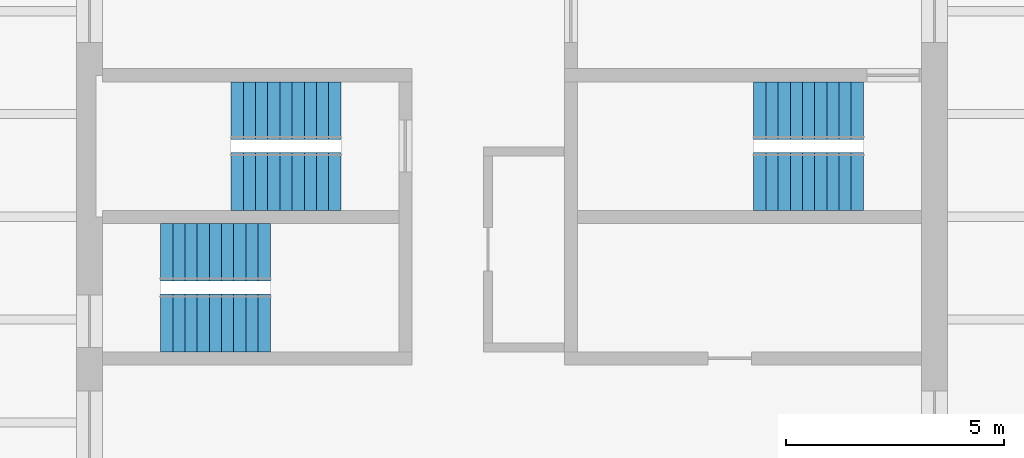
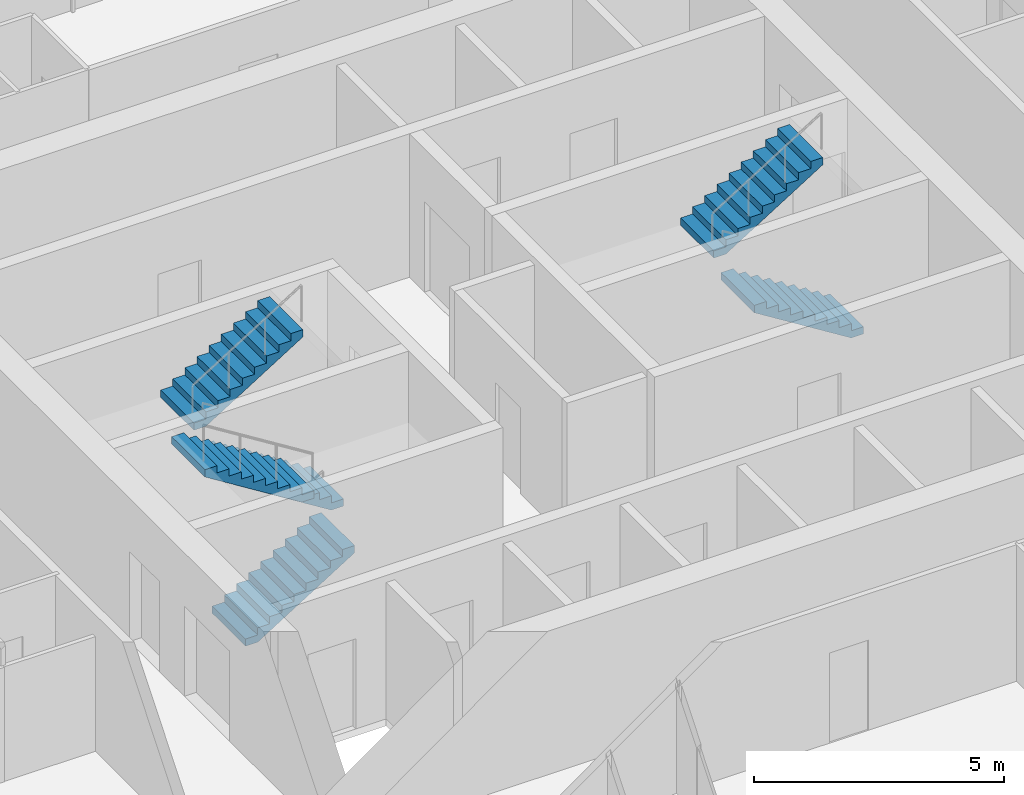
# One storey, part 16 of 17: 6 stair flights, 3 elements without a shape of their own.
"""IFC4 building model written with IfcOpenShell, lengths in metres."""

from ifc_helpers import new_model, si_unit, direction, frame, origin, place, context, subcontext, project, spatial, polyline, outline, extrude, material, type_object, element, aggregate, save


model = new_model("IFC4")

# Units and contexts
model_context = context("Model", 3, precision=1e-05, world=origin(), true_north=direction((0.0, 1.0)))
body_context = subcontext(model_context, "Body", "Model", "MODEL_VIEW")
ifc_project = project(units=[si_unit("LENGTHUNIT", "METRE"), si_unit("AREAUNIT", "SQUARE_METRE"), si_unit("VOLUMEUNIT", "CUBIC_METRE"), si_unit("PLANEANGLEUNIT", "RADIAN"), si_unit("MASSUNIT", "GRAM", prefix="KILO")], contexts=[model_context])

# Site, building, storey
site_placement = place(None, origin())
site = spatial("IfcSite", under=ifc_project, at=site_placement, CompositionType="ELEMENT")
building_placement = place(site_placement, origin())
building = spatial("IfcBuilding", under=site, at=building_placement, Name="Turquesa Mirador Hotel Tower", CompositionType="ELEMENT")
storey_placement = place(building_placement, frame((0.0, 0.0, 254.699951171875)))
storey = spatial("IfcBuildingStorey", under=building, at=storey_placement, Name="L69", CompositionType="ELEMENT", Elevation=254.699951171875)

# Stair, stair flights
ifc_material_1 = material(Name="Concrete C35/45", Category="concrete")
stair_type = type_object("IfcStairType", Name="ESCAPE STAIR CORE", PredefinedType="HALF_TURN_STAIR", material=ifc_material_1)
stair_1_placement = place(storey_placement, origin())
stair_1 = element("IfcStair", 1, at=stair_1_placement, inside=storey, type_object=stair_type, Name="Stair ST1 L69 to L70", PredefinedType="HALF_TURN_STAIR")
ifc_material_2 = material(Name="Concrete C35/45 precast flight", Category="concrete")
stair_flight_type = type_object("IfcStairFlightType", Name="STAIR FLIGHT 1330", PredefinedType="STRAIGHT", material=ifc_material_2)
stair_flight_1_placement = place(storey_placement, frame((51.070068359375, 45.81494140625, 0.0), z_axis=(0.0, 0.0, 1.0), x_axis=(-1.0, 0.0, 0.0)))
stair_flight_1 = element("IfcStairFlight", 2, at=stair_flight_1_placement, type_object=stair_flight_type, Name="ST1 flight 1", NumberOfRisers=10, NumberOfTreads=9, PredefinedType="STRAIGHT", RiserHeight=0.175, TreadLength=0.28, context=body_context, shape_type="SweptSolid", body=[
    extrude(outline(polyline([(0.0, 0.0), (0.0, 0.175048828125), (0.280029296875, 0.175048828125), (0.280029296875, 0.35009765625), (0.56005859375, 0.35009765625), (0.56005859375, 0.52490234375), (0.840087890625, 0.52490234375), (0.840087890625, 0.699951171875), (1.1201171875, 0.699951171875), (1.1201171875, 0.875), (1.39990234375, 0.875), (1.39990234375, 1.050048828125), (1.679931640625, 1.050048828125), (1.679931640625, 1.22509765625), (1.9599609375, 1.22509765625), (1.9599609375, 1.39990234375), (2.239990234375, 1.39990234375), (2.239990234375, 1.574951171875), (2.52001953125, 1.574951171875), (2.52001953125, 1.75), (2.52001953125, 1.398193359375), (0.28271484375, 0.0), (0.0, 0.0)])), frame((0.0, 0.6650390625, 0.0), z_axis=(0.0, -1.0, 0.0), x_axis=(1.0, 0.0, 0.0)), (0.0, 0.0, 1.0), 1.330078125),
])
stair_flight_2_placement = place(storey_placement, frame((48.550048828125, 47.43505859375, 1.75), z_axis=(0.0, 0.0, 1.0), x_axis=(1.0, 0.0, 0.0)))
stair_flight_2 = element("IfcStairFlight", 3, at=stair_flight_2_placement, type_object=stair_flight_type, Name="ST1 flight 2", NumberOfRisers=10, NumberOfTreads=9, PredefinedType="STRAIGHT", RiserHeight=0.175, TreadLength=0.28, context=body_context, shape_type="SweptSolid", body=[
    extrude(outline(polyline([(0.0, 0.0), (0.0, 0.175048828125), (0.280029296875, 0.175048828125), (0.280029296875, 0.35009765625), (0.56005859375, 0.35009765625), (0.56005859375, 0.52490234375), (0.840087890625, 0.52490234375), (0.840087890625, 0.699951171875), (1.1201171875, 0.699951171875), (1.1201171875, 0.875), (1.39990234375, 0.875), (1.39990234375, 1.050048828125), (1.679931640625, 1.050048828125), (1.679931640625, 1.22509765625), (1.9599609375, 1.22509765625), (1.9599609375, 1.39990234375), (2.239990234375, 1.39990234375), (2.239990234375, 1.574951171875), (2.52001953125, 1.574951171875), (2.52001953125, 1.75), (2.52001953125, 1.398193359375), (0.28271484375, 0.0), (0.0, 0.0)])), frame((0.0, 0.6650390625, 0.0), z_axis=(0.0, -1.0, 0.0), x_axis=(1.0, 0.0, 0.0)), (0.0, 0.0, 1.0), 1.330078125),
])
aggregate(stair_1, [stair_flight_1, stair_flight_2])

stair_2_placement = place(storey_placement, origin())
stair_2 = element("IfcStair", 4, at=stair_2_placement, inside=storey, type_object=stair_type, Name="Stair ST2 L69 to L70", PredefinedType="HALF_TURN_STAIR")
stair_flight_3_placement = place(storey_placement, frame((46.929931640625, 42.56494140625, 0.0), z_axis=(0.0, 0.0, 1.0), x_axis=(1.0, 0.0, 0.0)))
stair_flight_3 = element("IfcStairFlight", 5, at=stair_flight_3_placement, type_object=stair_flight_type, Name="ST2 flight 1", NumberOfRisers=10, NumberOfTreads=9, PredefinedType="STRAIGHT", RiserHeight=0.175, TreadLength=0.28, context=body_context, shape_type="SweptSolid", body=[
    extrude(outline(polyline([(0.0, 0.0), (0.0, 0.175048828125), (0.280029296875, 0.175048828125), (0.280029296875, 0.35009765625), (0.56005859375, 0.35009765625), (0.56005859375, 0.52490234375), (0.840087890625, 0.52490234375), (0.840087890625, 0.699951171875), (1.1201171875, 0.699951171875), (1.1201171875, 0.875), (1.39990234375, 0.875), (1.39990234375, 1.050048828125), (1.679931640625, 1.050048828125), (1.679931640625, 1.22509765625), (1.9599609375, 1.22509765625), (1.9599609375, 1.39990234375), (2.239990234375, 1.39990234375), (2.239990234375, 1.574951171875), (2.52001953125, 1.574951171875), (2.52001953125, 1.75), (2.52001953125, 1.398193359375), (0.28271484375, 0.0), (0.0, 0.0)])), frame((0.0, 0.6650390625, 0.0), z_axis=(0.0, -1.0, 0.0), x_axis=(1.0, 0.0, 0.0)), (0.0, 0.0, 1.0), 1.330078125),
])
stair_flight_4_placement = place(storey_placement, frame((49.449951171875, 44.18505859375, 1.75), z_axis=(0.0, 0.0, 1.0), x_axis=(-1.0, 0.0, 0.0)))
stair_flight_4 = element("IfcStairFlight", 6, at=stair_flight_4_placement, type_object=stair_flight_type, Name="ST2 flight 2", NumberOfRisers=10, NumberOfTreads=9, PredefinedType="STRAIGHT", RiserHeight=0.175, TreadLength=0.28, context=body_context, shape_type="SweptSolid", body=[
    extrude(outline(polyline([(0.0, 0.0), (0.0, 0.175048828125), (0.280029296875, 0.175048828125), (0.280029296875, 0.35009765625), (0.56005859375, 0.35009765625), (0.56005859375, 0.52490234375), (0.840087890625, 0.52490234375), (0.840087890625, 0.699951171875), (1.1201171875, 0.699951171875), (1.1201171875, 0.875), (1.39990234375, 0.875), (1.39990234375, 1.050048828125), (1.679931640625, 1.050048828125), (1.679931640625, 1.22509765625), (1.9599609375, 1.22509765625), (1.9599609375, 1.39990234375), (2.239990234375, 1.39990234375), (2.239990234375, 1.574951171875), (2.52001953125, 1.574951171875), (2.52001953125, 1.75), (2.52001953125, 1.398193359375), (0.28271484375, 0.0), (0.0, 0.0)])), frame((0.0, 0.6650390625, 0.0), z_axis=(0.0, -1.0, 0.0), x_axis=(1.0, 0.0, 0.0)), (0.0, 0.0, 1.0), 1.330078125),
])
aggregate(stair_2, [stair_flight_3, stair_flight_4])

stair_3_placement = place(storey_placement, origin())
stair_3 = element("IfcStair", 7, at=stair_3_placement, inside=storey, type_object=stair_type, Name="Stair ST3 L69 to L70", PredefinedType="HALF_TURN_STAIR")
stair_flight_5_placement = place(storey_placement, frame((63.070068359375, 45.81494140625, 0.0), z_axis=(0.0, 0.0, 1.0), x_axis=(-1.0, 0.0, 0.0)))
stair_flight_5 = element("IfcStairFlight", 8, at=stair_flight_5_placement, type_object=stair_flight_type, Name="ST3 flight 1", NumberOfRisers=10, NumberOfTreads=9, PredefinedType="STRAIGHT", RiserHeight=0.175, TreadLength=0.28, context=body_context, shape_type="SweptSolid", body=[
    extrude(outline(polyline([(0.0, 0.0), (0.0, 0.175048828125), (0.280029296875, 0.175048828125), (0.280029296875, 0.35009765625), (0.56005859375, 0.35009765625), (0.56005859375, 0.52490234375), (0.840087890625, 0.52490234375), (0.840087890625, 0.699951171875), (1.1201171875, 0.699951171875), (1.1201171875, 0.875), (1.39990234375, 0.875), (1.39990234375, 1.050048828125), (1.679931640625, 1.050048828125), (1.679931640625, 1.22509765625), (1.9599609375, 1.22509765625), (1.9599609375, 1.39990234375), (2.239990234375, 1.39990234375), (2.239990234375, 1.574951171875), (2.52001953125, 1.574951171875), (2.52001953125, 1.75), (2.52001953125, 1.398193359375), (0.28271484375, 0.0), (0.0, 0.0)])), frame((0.0, 0.6650390625, 0.0), z_axis=(0.0, -1.0, 0.0), x_axis=(1.0, 0.0, 0.0)), (0.0, 0.0, 1.0), 1.330078125),
])
stair_flight_6_placement = place(storey_placement, frame((60.550048828125, 47.43505859375, 1.75), z_axis=(0.0, 0.0, 1.0), x_axis=(1.0, 0.0, 0.0)))
stair_flight_6 = element("IfcStairFlight", 9, at=stair_flight_6_placement, type_object=stair_flight_type, Name="ST3 flight 2", NumberOfRisers=10, NumberOfTreads=9, PredefinedType="STRAIGHT", RiserHeight=0.175, TreadLength=0.28, context=body_context, shape_type="SweptSolid", body=[
    extrude(outline(polyline([(0.0, 0.0), (0.0, 0.175048828125), (0.280029296875, 0.175048828125), (0.280029296875, 0.35009765625), (0.56005859375, 0.35009765625), (0.56005859375, 0.52490234375), (0.840087890625, 0.52490234375), (0.840087890625, 0.699951171875), (1.1201171875, 0.699951171875), (1.1201171875, 0.875), (1.39990234375, 0.875), (1.39990234375, 1.050048828125), (1.679931640625, 1.050048828125), (1.679931640625, 1.22509765625), (1.9599609375, 1.22509765625), (1.9599609375, 1.39990234375), (2.239990234375, 1.39990234375), (2.239990234375, 1.574951171875), (2.52001953125, 1.574951171875), (2.52001953125, 1.75), (2.52001953125, 1.398193359375), (0.28271484375, 0.0), (0.0, 0.0)])), frame((0.0, 0.6650390625, 0.0), z_axis=(0.0, -1.0, 0.0), x_axis=(1.0, 0.0, 0.0)), (0.0, 0.0, 1.0), 1.330078125),
])
aggregate(stair_3, [stair_flight_5, stair_flight_6])

save(model, "model.ifc")
